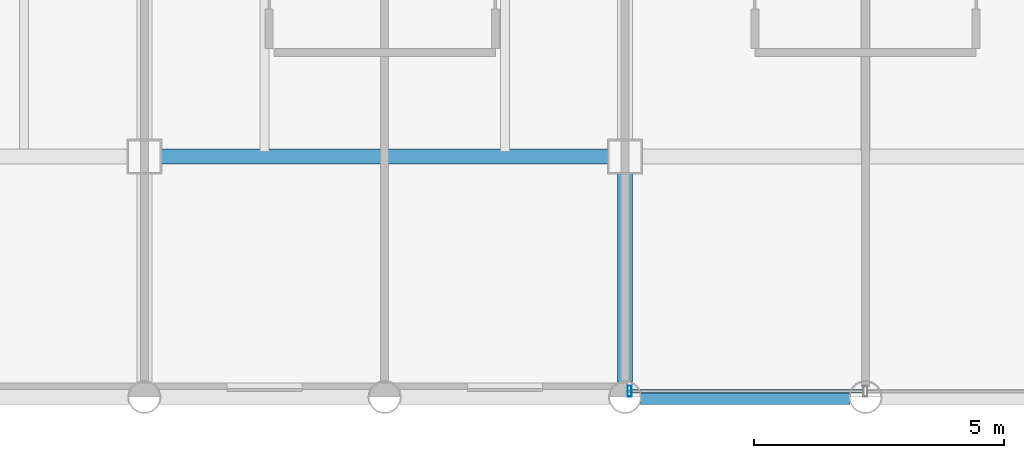
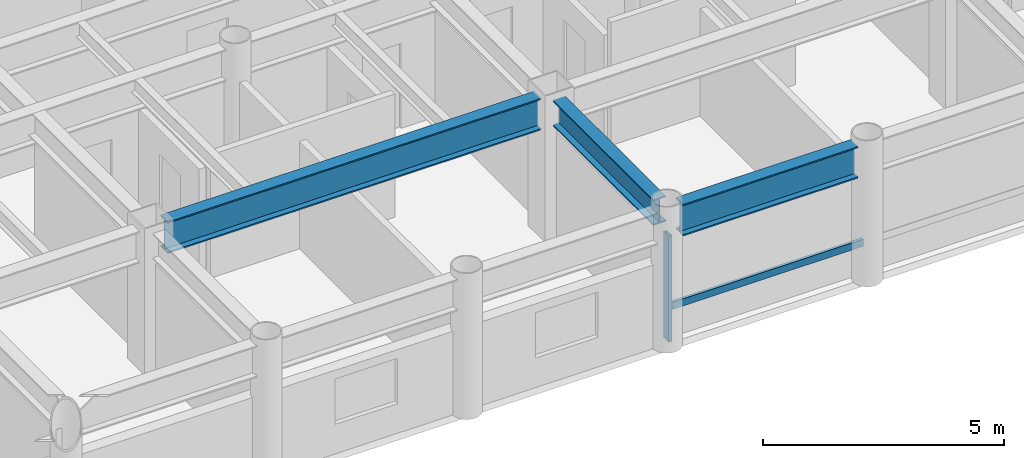
# One storey, part 2 of 20: 3 beams, 2 members, 1 element without a shape of its own.
"""IFC4 building model written with IfcOpenShell, lengths in metres."""

from ifc_helpers import new_model, si_unit, direction, frame, origin, origin_2d, place, context, subcontext, project, spatial, hollow_rectangle, i_section, extrude, material, layer, layer_set, material_profile, profile_set, type_object, element, aggregate, save


model = new_model("IFC4")

# Units and contexts
model_context = context("Model", 3, precision=1e-05, world=origin(), true_north=direction((0.0, 1.0)))
body_context = subcontext(model_context, "Body", "Model", "MODEL_VIEW")
ifc_project = project(units=[si_unit("LENGTHUNIT", "METRE"), si_unit("AREAUNIT", "SQUARE_METRE"), si_unit("VOLUMEUNIT", "CUBIC_METRE"), si_unit("PLANEANGLEUNIT", "RADIAN"), si_unit("MASSUNIT", "GRAM", prefix="KILO")], contexts=[model_context])

# Site, building, storey
site_placement = place(None, origin())
site = spatial("IfcSite", under=ifc_project, at=site_placement, CompositionType="ELEMENT")
building_placement = place(site_placement, origin())
building = spatial("IfcBuilding", under=site, at=building_placement, Name="Kallvorn Hotel Tower", CompositionType="ELEMENT")
storey_placement = place(building_placement, frame((0.0, 0.0, 132.199951171875)))
storey = spatial("IfcBuildingStorey", under=building, at=storey_placement, Name="L32", CompositionType="ELEMENT", Elevation=132.199951171875)

# Beams
ifc_material_1 = material(Name="Structural steel S355JR", Category="steel")
ifc_material_profile_1 = material_profile(ifc_material_1, i_section(OverallWidth=0.300048828125, OverallDepth=0.64990234375, WebThickness=0.01611328125, FlangeThickness=0.031005859375, at=origin_2d()), Name="HE 650 B")
ifc_profile_set_1 = profile_set([ifc_material_profile_1], Name="Structural steel S355JR")
beam_type_1 = type_object("IfcBeamType", Name="BM_HE650B", PredefinedType="BEAM", material=ifc_profile_set_1)
beam_1_placement = place(storey_placement, frame((-4.800048828125, -18.89501953125, 3.195068359375), z_axis=(0.0, 1.0, 0.0), x_axis=(-1.0, 0.0, 0.0)))
element("IfcBeam", 1, at=beam_1_placement, inside=storey, type_object=beam_type_1, Name="L33 Primary Y-Girder 106", PredefinedType="BEAM", context=body_context, shape_type="SweptSolid", body=[
    extrude(i_section(OverallWidth=0.300048828125, OverallDepth=0.64990234375, WebThickness=0.01611328125, FlangeThickness=0.031005859375, at=origin_2d()), origin(), (0.0, 0.0, 1.0), 4.169921875),
])
ifc_material_2 = material(Name="Structural steel S355JR", Category="steel")
ifc_material_profile_2 = material_profile(ifc_material_2, i_section(OverallWidth=0.300048828125, OverallDepth=0.800048828125, WebThickness=0.017578125, FlangeThickness=0.032958984375, at=origin_2d()), Name="HE 800 B")
ifc_profile_set_2 = profile_set([ifc_material_profile_2], Name="Structural steel S355JR")
beam_type_2 = type_object("IfcBeamType", Name="BM_HE800B", PredefinedType="BEAM", material=ifc_profile_set_2)
beam_2_placement = place(storey_placement, frame((-4.4951171875, -19.199951171875, 3.1201171875), z_axis=(1.0, 0.0, 0.0), x_axis=(0.0, 1.0, 0.0)))
element("IfcBeam", 2, at=beam_2_placement, inside=storey, type_object=beam_type_2, Name="L33 Primary X-Girder 06", PredefinedType="BEAM", context=body_context, shape_type="SweptSolid", body=[
    extrude(i_section(OverallWidth=0.300048828125, OverallDepth=0.800048828125, WebThickness=0.017578125, FlangeThickness=0.032958984375, at=origin_2d()), origin(), (0.0, 0.0, 1.0), 4.190185546875),
])
beam_3_placement = place(storey_placement, frame((-14.074951171875, -14.39990234375, 3.1201171875), z_axis=(1.0, 0.0, 0.0), x_axis=(0.0, 1.0, 0.0)))
element("IfcBeam", 3, at=beam_3_placement, inside=storey, type_object=beam_type_2, Name="L33 Primary X-Girder 17", PredefinedType="BEAM", context=body_context, shape_type="SweptSolid", body=[
    extrude(i_section(OverallWidth=0.300048828125, OverallDepth=0.800048828125, WebThickness=0.017578125, FlangeThickness=0.032958984375, at=origin_2d()), origin(), (0.0, 0.0, 1.0), 8.949951171875),
])

# Curtain wall, members
ifc_material_3 = material(Name="Thermally broken black-anodised aluminium AA 6063-T6", Category="aluminium")
ifc_layer = layer(ifc_material_3, 0.2099609375)
ifc_layer_set = layer_set([ifc_layer], Name="CW_SYS_4_HOTEL_MID")
curtain_wall_type = type_object("IfcCurtainWallType", Name="CW_SYS_4_HOTEL_MID", PredefinedType="USERDEFINED", material=ifc_layer_set)
curtain_wall_placement = place(storey_placement, origin())
curtain_wall = element("IfcCurtainWall", 4, at=curtain_wall_placement, inside=storey, type_object=curtain_wall_type, Name="L32 Dark-Glass Curtain Wall CW-L32-SC", ObjectType="UNITISED CURTAIN WALL", PredefinedType="USERDEFINED")
ifc_material_4 = material(Name="Thermally broken black-anodised aluminium AA 6063-T6", Category="aluminium")
ifc_material_profile_3 = material_profile(ifc_material_4, hollow_rectangle(XDim=0.080078125, YDim=0.219970703125, WallThickness=0.0048828125, at=origin_2d()), Name="MUL 220x80")
ifc_profile_set_3 = profile_set([ifc_material_profile_3], Name="Thermally broken black-anodised aluminium AA 6063-T6")
member_type_1 = type_object("IfcMemberType", Name="CW_MULLION_220x80", PredefinedType="MULLION", material=ifc_profile_set_3)
member_1_placement = place(storey_placement, frame((-4.7099609375, -19.080078125, 0.02001953125), z_axis=(0.0, 0.0, 1.0), x_axis=(1.0, 0.0, 0.0)))
member_1 = element("IfcMember", 5, at=member_1_placement, type_object=member_type_1, Name="CW-L32-SC Mullion 00", PredefinedType="MULLION", context=body_context, shape_type="SweptSolid", body=[
    extrude(hollow_rectangle(XDim=0.080078125, YDim=0.219970703125, WallThickness=0.0048828125, at=origin_2d()), origin(), (0.0, 0.0, 1.0), 2.679931640625),
])
ifc_material_5 = material(Name="Thermally broken black-anodised aluminium AA 6063-T6", Category="aluminium")
ifc_material_profile_4 = material_profile(ifc_material_5, hollow_rectangle(XDim=0.070068359375, YDim=0.179931640625, WallThickness=0.00390625, at=origin_2d()), Name="TRN 180x70")
ifc_profile_set_4 = profile_set([ifc_material_profile_4], Name="Thermally broken black-anodised aluminium AA 6063-T6")
member_type_2 = type_object("IfcMemberType", Name="CW_TRANSOM_180x70", PredefinedType="USERDEFINED", material=ifc_profile_set_4)
member_2_placement = place(storey_placement, frame((-4.7099609375, -19.080078125, 0.85009765625), z_axis=(1.0, 0.0, 0.0), x_axis=(0.0, 1.0, 0.0)))
member_2 = element("IfcMember", 6, at=member_2_placement, type_object=member_type_2, Name="CW-L32-SC Transom 00M", ObjectType="TRANSOM", PredefinedType="USERDEFINED", context=body_context, shape_type="SweptSolid", body=[
    extrude(hollow_rectangle(XDim=0.070068359375, YDim=0.179931640625, WallThickness=0.00390625, at=origin_2d()), origin(), (0.0, 0.0, 1.0), 4.669921875),
])
aggregate(curtain_wall, [member_1, member_2])

save(model, "model.ifc")
